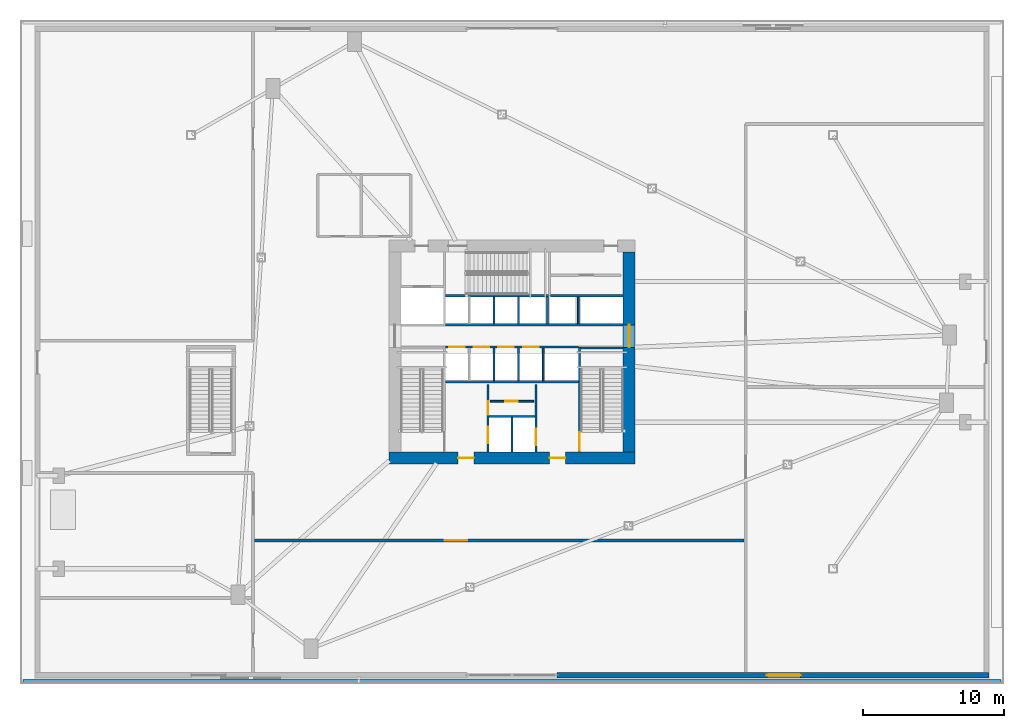
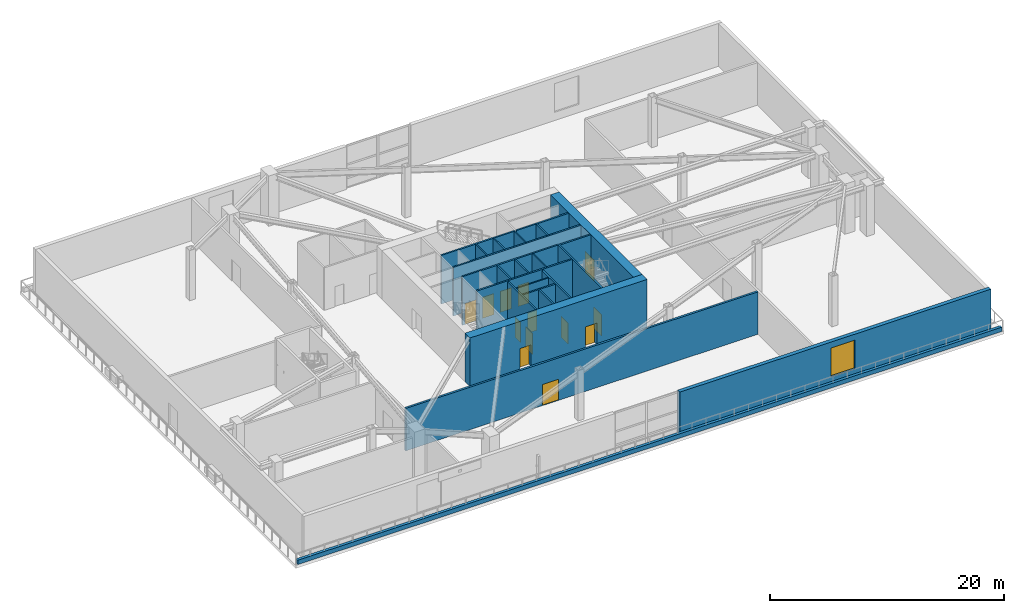
# One storey, part 9 of 15: 24 walls, 13 doors, 1 window, 14 openings.
"""IFC4 building model written with IfcOpenShell, lengths in metres."""

from ifc_helpers import new_model, si_unit, direction, frame, frame_2d, origin, place, context, subcontext, project, spatial, rectangle, extrude, source, transform, mapped, material, layer, layer_set, type_object, type_shapes, element, fill, save


model = new_model("IFC4")

# Units and contexts
model_context = context("Model", 3, precision=1e-05, world=origin(), true_north=direction((0.0, 1.0)))
body_context = subcontext(model_context, "Body", "Model", "MODEL_VIEW")
ifc_project = project(units=[si_unit("LENGTHUNIT", "METRE"), si_unit("AREAUNIT", "SQUARE_METRE"), si_unit("VOLUMEUNIT", "CUBIC_METRE"), si_unit("PLANEANGLEUNIT", "RADIAN"), si_unit("MASSUNIT", "GRAM", prefix="KILO")], contexts=[model_context])

# Site, building, storey
site_placement = place(None, origin())
site = spatial("IfcSite", under=ifc_project, at=site_placement, CompositionType="ELEMENT")
building_placement = place(site_placement, origin())
building = spatial("IfcBuilding", under=site, at=building_placement, Name="Olszyna Solenne Hotel", CompositionType="ELEMENT")
storey_placement = place(building_placement, frame((0.0, 0.0, 10.199951171875)))
storey = spatial("IfcBuildingStorey", under=building, at=storey_placement, Name="L02", CompositionType="ELEMENT", Elevation=10.199951171875)

# Wall, openings, doors
ifc_material_1 = material(Name="Concrete C60/75", Category="concrete")
ifc_layer_1 = layer(ifc_material_1, 0.85009765625, Name="Concrete C60/75")
ifc_layer_set_1 = layer_set([ifc_layer_1], Name="Concrete C60/75")
wall_type_1 = type_object("IfcWallType", Name="WL-CR850", PredefinedType="SHEAR", material=ifc_layer_set_1)
wall_1_placement = place(storey_placement, frame((46.75, 19.074951171875, 0.0), z_axis=(0.0, 0.0, 1.0), x_axis=(-1.0, 0.0, 0.0)))
wall_1 = element("IfcWall", 1, at=wall_1_placement, inside=storey, type_object=wall_type_1, Name="Core shear wall WL-CR850 CRW-L02-S", PredefinedType="SHEAR", context=body_context, shape_type="SweptSolid", body=[
    extrude(rectangle(XDim=17.5, YDim=0.85009765625, at=frame_2d((8.75, 0.0))), origin(), (0.0, 0.0, 1.0), 5.080078125),
])
opening_1_placement = place(wall_1_placement, frame((4.949951171875, 0.0, 0.0)))
opening_1 = element("IfcOpeningElement", 2, at=opening_1_placement, cuts=wall_1, Name="Opening FL-L02-1", PredefinedType="OPENING", context=body_context, shape_type="SweptSolid", body=[
    extrude(rectangle(XDim=1.1201171875, YDim=2.25, at=frame_2d((0.56005859375, 1.125))), frame((0.0, 0.43505859375, 0.0), z_axis=(0.0, -1.0, 0.0), x_axis=(1.0, 0.0, 0.0)), (0.0, 0.0, 1.0), 0.8701171875),
])
opening_2_placement = place(wall_1_placement, frame((11.449951171875, 0.0, 0.0)))
opening_2 = element("IfcOpeningElement", 3, at=opening_2_placement, cuts=wall_1, Name="Opening FL-L02-2", PredefinedType="OPENING", context=body_context, shape_type="SweptSolid", body=[
    extrude(rectangle(XDim=1.1201171875, YDim=2.25, at=frame_2d((0.56005859375, 1.125))), frame((0.0, 0.43505859375, 0.0), z_axis=(0.0, -1.0, 0.0), x_axis=(1.0, 0.0, 0.0)), (0.0, 0.0, 1.0), 0.8701171875),
])
ifc_material_2 = material(Name="Steel S355J2", Category="steel")
door_type_1 = type_object("IfcDoorType", Name="DR-FL1", OperationType="NOTDEFINED", PredefinedType="DOOR", material=ifc_material_2)
shared_shape_1 = source(origin(), body_context, "Body", "SweptSolid", [
    extrude(rectangle(XDim=1.1201171875, YDim=2.25, at=frame_2d((0.56005859375, 1.125))), frame((0.0, 0.02490234375, 0.0), z_axis=(0.0, -1.0, 0.0), x_axis=(1.0, 0.0, 0.0)), (0.0, 0.0, 1.0), 0.050048828125),
])
type_shapes(door_type_1, [shared_shape_1])
door_1_placement = place(opening_1_placement, origin())
door_1 = element("IfcDoor", 4, at=door_1_placement, inside=storey, type_object=door_type_1, Name="Firefighting lift lobby smoke door FL-L02-1", OperationType="SINGLE_SWING_LEFT", OverallHeight=2.25, OverallWidth=1.1201171875, PredefinedType="DOOR", context=body_context, shape_type="MappedRepresentation", body=[
    mapped(shared_shape_1, transform((0.0, 0.0, 0.0), x_axis=(1.0, 0.0, 0.0), y_axis=(0.0, 1.0, 0.0), z_axis=(0.0, 0.0, 1.0), scale=1.0)),
])
fill(opening_1, door_1)
door_2_placement = place(opening_2_placement, origin())
door_2 = element("IfcDoor", 5, at=door_2_placement, inside=storey, type_object=door_type_1, Name="Firefighting lift lobby smoke door FL-L02-2", OperationType="SINGLE_SWING_RIGHT", OverallHeight=2.25, OverallWidth=1.1201171875, PredefinedType="DOOR", context=body_context, shape_type="MappedRepresentation", body=[
    mapped(shared_shape_1, transform((0.0, 0.0, 0.0), x_axis=(1.0, 0.0, 0.0), y_axis=(0.0, 1.0, 0.0), z_axis=(0.0, 0.0, 1.0), scale=1.0)),
])
fill(opening_2, door_2)

# Wall, opening, door
wall_2_placement = place(storey_placement, frame((46.324951171875, 33.699951171875, 0.0), z_axis=(0.0, 0.0, 1.0), x_axis=(0.0, -1.0, 0.0)))
wall_2 = element("IfcWall", 6, at=wall_2_placement, inside=storey, type_object=wall_type_1, Name="Core shear wall WL-CR850 CRW-L02-E", PredefinedType="SHEAR", context=body_context, shape_type="SweptSolid", body=[
    extrude(rectangle(XDim=14.199951171875, YDim=0.85009765625, at=frame_2d((7.10009765625, 0.0))), origin(), (0.0, 0.0, 1.0), 5.080078125),
])
opening_3_placement = place(wall_2_placement, frame((5.179931640625, 0.0, 0.0)))
opening_3 = element("IfcOpeningElement", 7, at=opening_3_placement, cuts=wall_2, Name="Opening LHD-L02-E", PredefinedType="OPENING", context=body_context, shape_type="SweptSolid", body=[
    extrude(rectangle(XDim=1.60009765625, YDim=2.199951171875, at=frame_2d((0.800048828125, 1.10009765625))), frame((0.0, 0.43505859375, 0.0), z_axis=(0.0, -1.0, 0.0), x_axis=(1.0, 0.0, 0.0)), (0.0, 0.0, 1.0), 0.8701171875),
])
ifc_material_3 = material(Name="Timber hardwood", Category="wood")
door_type_2 = type_object("IfcDoorType", Name="DR-CR1", OperationType="DOUBLE_DOOR_SINGLE_SWING", PredefinedType="DOOR", material=ifc_material_3)
shared_shape_2 = source(origin(), body_context, "Body", "SweptSolid", [
    extrude(rectangle(XDim=1.60009765625, YDim=2.199951171875, at=frame_2d((0.800048828125, 1.10009765625))), frame((0.0, 0.02490234375, 0.0), z_axis=(0.0, -1.0, 0.0), x_axis=(1.0, 0.0, 0.0)), (0.0, 0.0, 1.0), 0.050048828125),
])
type_shapes(door_type_2, [shared_shape_2])
door_3_placement = place(opening_3_placement, origin())
door_3 = element("IfcDoor", 8, at=door_3_placement, inside=storey, type_object=door_type_2, Name="Passenger lift lobby East fire door LHD-L02-E", OperationType="DOUBLE_DOOR_SINGLE_SWING", OverallHeight=2.199951171875, OverallWidth=1.60009765625, PredefinedType="DOOR", context=body_context, shape_type="MappedRepresentation", body=[
    mapped(shared_shape_2, transform((0.0, 0.0, 0.0), x_axis=(1.0, 0.0, 0.0), y_axis=(0.0, 1.0, 0.0), z_axis=(0.0, 0.0, 1.0), scale=1.0)),
])
fill(opening_3, door_3)

# Wall, opening, window
ifc_material_4 = material(Name="Terracotta cladding on precast concrete C45/55", Category="masonry")
ifc_layer_2 = layer(ifc_material_4, 0.3798828125, Name="Terracotta cladding on precast concrete C45/55")
ifc_layer_set_2 = layer_set([ifc_layer_2], Name="Terracotta cladding on precast concrete C45/55")
wall_type_2 = type_object("IfcWallType", Name="WL-EX380", PredefinedType="SOLIDWALL", material=ifc_layer_set_2)
wall_3_placement = place(storey_placement, frame((71.89990234375, 3.6298828125, 0.0), z_axis=(0.0, 0.0, 1.0), x_axis=(-1.0, 0.0, 0.0)))
wall_3 = element("IfcWall", 9, at=wall_3_placement, inside=storey, type_object=wall_type_2, Name="Podium terracotta-precast exterior wall EW-L02-SE", PredefinedType="SOLIDWALL", context=body_context, shape_type="SweptSolid", body=[
    extrude(rectangle(XDim=30.699951171875, YDim=0.3798828125, at=frame_2d((15.35009765625, 0.0))), origin(), (0.0, 0.0, 1.0), 4.47216796875),
])
opening_4_placement = place(wall_3_placement, frame((13.39990234375, 0.0, 0.85009765625)))
opening_4 = element("IfcOpeningElement", 10, at=opening_4_placement, cuts=wall_3, Name="Opening WN-L02-009", PredefinedType="OPENING", context=body_context, shape_type="SweptSolid", body=[
    extrude(rectangle(XDim=2.39990234375, YDim=3.0, at=frame_2d((1.199951171875, 1.5))), frame((0.0, 0.199951171875, 0.0), z_axis=(0.0, -1.0, 0.0), x_axis=(1.0, 0.0, 0.0)), (0.0, 0.0, 1.0), 0.39990234375),
])
ifc_material_5 = material(Name="Low-E triple glazing", Category="glass")
window_type = type_object("IfcWindowType", Name="WN-PD1", PartitioningType="SINGLE_PANEL", PredefinedType="WINDOW", material=ifc_material_5)
shared_shape_3 = source(origin(), body_context, "Body", "SweptSolid", [
    extrude(rectangle(XDim=2.39990234375, YDim=3.0, at=frame_2d((1.199951171875, 1.5))), frame((0.0, 0.030029296875, 0.0), z_axis=(0.0, -1.0, 0.0), x_axis=(1.0, 0.0, 0.0)), (0.0, 0.0, 1.0), 0.06005859375),
])
type_shapes(window_type, [shared_shape_3])
window_placement = place(opening_4_placement, origin())
window = element("IfcWindow", 11, at=window_placement, inside=storey, type_object=window_type, Name="Podium triple-glazed window WN-PD1 WN-L02-009", OverallHeight=3.0, OverallWidth=2.39990234375, PartitioningType="SINGLE_PANEL", PredefinedType="WINDOW", context=body_context, shape_type="MappedRepresentation", body=[
    mapped(shared_shape_3, transform((0.0, 0.0, 0.0), x_axis=(1.0, 0.0, 0.0), y_axis=(0.0, 1.0, 0.0), z_axis=(0.0, 0.0, 1.0), scale=1.0)),
])
fill(opening_4, window)

# Walls
ifc_layer_3 = layer(ifc_material_4, 0.280029296875, Name="Terracotta cladding on precast concrete C45/55")
ifc_layer_set_3 = layer_set([ifc_layer_3], Name="Terracotta cladding on precast concrete C45/55")
wall_type_3 = type_object("IfcWallType", Name="WL-PR280", PredefinedType="PARAPET", material=ifc_layer_set_3)
wall_4_placement = place(storey_placement, frame((3.25, 3.179931640625, 0.0), z_axis=(0.0, 0.0, 1.0), x_axis=(1.0, 0.0, 0.0)))
element("IfcWall", 12, at=wall_4_placement, inside=storey, type_object=wall_type_3, Name="Garden terrace parapet upstand PR-L02-S", PredefinedType="PARAPET", context=body_context, shape_type="SweptSolid", body=[
    extrude(rectangle(XDim=69.5, YDim=0.280029296875, at=frame_2d((34.75, 0.0))), origin(), (0.0, 0.0, 1.0), 0.449951171875),
])
ifc_material_6 = material(Name="Acoustic gypsum partition", Category="gypsum")
ifc_layer_4 = layer(ifc_material_6, 0.125, Name="Acoustic gypsum partition")
ifc_layer_set_4 = layer_set([ifc_layer_4], Name="Acoustic gypsum partition")
wall_type_4 = type_object("IfcWallType", Name="WL-PT125", PredefinedType="PARTITIONING", material=ifc_layer_set_4)
wall_5_placement = place(storey_placement, frame((38.0, 19.5, 0.0), z_axis=(0.0, 0.0, 1.0), x_axis=(0.0, 1.0, 0.0)))
element("IfcWall", 13, at=wall_5_placement, inside=storey, type_object=wall_type_4, Name="Core shaft compartment wall CW-L02-FFM", PredefinedType="PARTITIONING", context=body_context, shape_type="SweptSolid", body=[
    extrude(rectangle(XDim=2.4599609375, YDim=0.125, at=frame_2d((1.22998046875, 0.0))), origin(), (0.0, 0.0, 1.0), 5.080078125),
])

# Wall, opening, door
wall_6_placement = place(storey_placement, frame((36.4599609375, 23.10205078125, 0.0), z_axis=(0.0, 0.0, 1.0), x_axis=(1.0, 0.0, 0.0)))
wall_6 = element("IfcWall", 14, at=wall_6_placement, inside=storey, type_object=wall_type_4, Name="Core shaft compartment wall CW-L02-SC2", PredefinedType="PARTITIONING", context=body_context, shape_type="SweptSolid", body=[
    extrude(rectangle(XDim=3.080078125, YDim=0.125, at=frame_2d((1.5400390625, 0.0))), origin(), (0.0, 0.0, 1.0), 5.080078125),
])
opening_5_placement = place(wall_6_placement, frame((1.050048828125, 0.0, 0.0)))
opening_5 = element("IfcOpeningElement", 15, at=opening_5_placement, cuts=wall_6, Name="Opening SVD-L02-SC2", PredefinedType="OPENING", context=body_context, shape_type="SweptSolid", body=[
    extrude(rectangle(XDim=0.89990234375, YDim=2.10009765625, at=frame_2d((0.449951171875, 1.050048828125))), frame((0.0, 0.072509765625, 0.0), z_axis=(0.0, -1.0, 0.0), x_axis=(1.0, 0.0, 0.0)), (0.0, 0.0, 1.0), 0.14501953125),
])
door_type_3 = type_object("IfcDoorType", Name="DR-WC1", OperationType="NOTDEFINED", PredefinedType="DOOR", material=ifc_material_3)
shared_shape_4 = source(origin(), body_context, "Body", "SweptSolid", [
    extrude(rectangle(XDim=0.89990234375, YDim=2.10009765625, at=frame_2d((0.449951171875, 1.050048828125))), frame((0.0, 0.02490234375, 0.0), z_axis=(0.0, -1.0, 0.0), x_axis=(1.0, 0.0, 0.0)), (0.0, 0.0, 1.0), 0.050048828125),
])
type_shapes(door_type_3, [shared_shape_4])
door_4_placement = place(opening_5_placement, origin())
door_4 = element("IfcDoor", 16, at=door_4_placement, inside=storey, type_object=door_type_3, Name="Butler pantry door SVD-L02-SC2", OperationType="SINGLE_SWING_RIGHT", OverallHeight=2.10009765625, OverallWidth=0.89990234375, PredefinedType="DOOR", context=body_context, shape_type="MappedRepresentation", body=[
    mapped(shared_shape_4, transform((0.0, 0.0, 0.0), x_axis=(1.0, 0.0, 0.0), y_axis=(0.0, 1.0, 0.0), z_axis=(0.0, 0.0, 1.0), scale=1.0)),
])
fill(opening_5, door_4)

# Walls
for number, where, z_axis, x_axis, name in (
    (17, (36.715087890625, 24.56005859375, 0.0), (0.0, 0.0, 1.0), (0.0, 1.0, 0.0), "Core shaft compartment wall CW-L02-DIVS367"),
    (18, (38.465087890625, 24.56005859375, 0.0), (0.0, 0.0, 1.0), (0.0, 1.0, 0.0), "Core shaft compartment wall CW-L02-DIVS384"),
    (19, (40.215087890625, 24.56005859375, 0.0), (0.0, 0.0, 1.0), (0.0, 1.0, 0.0), "Core shaft compartment wall CW-L02-DIVS402"),
):
    element("IfcWall", number, at=place(storey_placement, frame(where, z_axis=z_axis, x_axis=x_axis)), inside=storey, type_object=wall_type_4, Name=name, PredefinedType="PARTITIONING", context=body_context, shape_type="SweptSolid", body=[
        extrude(rectangle(XDim=2.31005859375, YDim=0.125, at=frame_2d((1.155029296875, 0.0))), origin(), (0.0, 0.0, 1.0), 5.080078125),
    ])
for number, where, z_axis, x_axis, name in (
    (20, (36.715087890625, 28.60009765625, 0.0), (0.0, 0.0, 1.0), (0.0, 1.0, 0.0), "Core shaft compartment wall CW-L02-DIVN367"),
    (21, (38.465087890625, 28.60009765625, 0.0), (0.0, 0.0, 1.0), (0.0, 1.0, 0.0), "Core shaft compartment wall CW-L02-DIVN384"),
    (22, (40.52490234375, 28.60009765625, 0.0), (0.0, 0.0, 1.0), (0.0, 1.0, 0.0), "Core shaft compartment wall CW-L02-DIVEX405"),
    (23, (42.699951171875, 28.60009765625, 0.0), (0.0, 0.0, 1.0), (0.0, 1.0, 0.0), "Core shaft compartment wall CW-L02-DIVEX427"),
):
    element("IfcWall", number, at=place(storey_placement, frame(where, z_axis=z_axis, x_axis=x_axis)), inside=storey, type_object=wall_type_4, Name=name, PredefinedType="PARTITIONING", context=body_context, shape_type="SweptSolid", body=[
        extrude(rectangle(XDim=1.919921875, YDim=0.125, at=frame_2d((0.9599609375, 0.0))), origin(), (0.0, 0.0, 1.0), 5.080078125),
    ])

# Wall, opening, door
ifc_layer_5 = layer(ifc_material_6, 0.159912109375, Name="Acoustic gypsum partition")
ifc_layer_set_5 = layer_set([ifc_layer_5], Name="Acoustic gypsum partition")
wall_type_5 = type_object("IfcWallType", Name="WL-PT160", PredefinedType="PARTITIONING", material=ifc_layer_set_5)
wall_7_placement = place(storey_placement, frame((42.800048828125, 26.9599609375, 0.0), z_axis=(0.0, 0.0, 1.0), x_axis=(0.0, -1.0, 0.0)))
wall_7 = element("IfcWall", 24, at=wall_7_placement, inside=storey, type_object=wall_type_5, Name="Core shaft compartment wall CW-L02-ST2W", PredefinedType="PARTITIONING", context=body_context, shape_type="SweptSolid", body=[
    extrude(rectangle(XDim=7.4599609375, YDim=0.159912109375, at=frame_2d((3.72998046875, 0.0))), origin(), (0.0, 0.0, 1.0), 5.080078125),
])
opening_6_placement = place(wall_7_placement, frame((6.06005859375, 0.0, 0.0)))
opening_6 = element("IfcOpeningElement", 25, at=opening_6_placement, cuts=wall_7, Name="Opening STD-L02-02", PredefinedType="OPENING", context=body_context, shape_type="SweptSolid", body=[
    extrude(rectangle(XDim=1.320068359375, YDim=2.199951171875, at=frame_2d((0.66015625, 1.10009765625))), frame((0.0, 0.08984375, 0.0), z_axis=(0.0, -1.0, 0.0), x_axis=(1.0, 0.0, 0.0)), (0.0, 0.0, 1.0), 0.179931640625),
])
door_type_4 = type_object("IfcDoorType", Name="DR-ST1", OperationType="NOTDEFINED", PredefinedType="DOOR", material=ifc_material_2)
shared_shape_5 = source(origin(), body_context, "Body", "SweptSolid", [
    extrude(rectangle(XDim=1.320068359375, YDim=2.199951171875, at=frame_2d((0.66015625, 1.10009765625))), frame((0.0, 0.02490234375, 0.0), z_axis=(0.0, -1.0, 0.0), x_axis=(1.0, 0.0, 0.0)), (0.0, 0.0, 1.0), 0.050048828125),
])
type_shapes(door_type_4, [shared_shape_5])
door_5_placement = place(opening_6_placement, origin())
door_5 = element("IfcDoor", 26, at=door_5_placement, inside=storey, type_object=door_type_4, Name="Pressurised exit stair ST2 fire door STD-L02-02", OperationType="SINGLE_SWING_RIGHT", OverallHeight=2.199951171875, OverallWidth=1.320068359375, PredefinedType="DOOR", context=body_context, shape_type="MappedRepresentation", body=[
    mapped(shared_shape_5, transform((0.0, 0.0, 0.0), x_axis=(1.0, 0.0, 0.0), y_axis=(0.0, 1.0, 0.0), z_axis=(0.0, 0.0, 1.0), scale=1.0)),
])
fill(opening_6, door_5)

# Walls
wall_8_placement = place(storey_placement, frame((42.8798828125, 26.8798828125, 0.0), z_axis=(0.0, 0.0, 1.0), x_axis=(1.0, 0.0, 0.0)))
element("IfcWall", 27, at=wall_8_placement, inside=storey, type_object=wall_type_5, Name="Core shaft compartment wall CW-L02-ST2N", PredefinedType="PARTITIONING", context=body_context, shape_type="SweptSolid", body=[
    extrude(rectangle(XDim=3.02001953125, YDim=0.159912109375, at=frame_2d((1.510009765625, 0.0))), origin(), (0.0, 0.0, 1.0), 5.080078125),
])
wall_9_placement = place(storey_placement, frame((33.280029296875, 30.60009765625, 0.0), z_axis=(0.0, 0.0, 1.0), x_axis=(1.0, 0.0, 0.0)))
element("IfcWall", 28, at=wall_9_placement, inside=storey, type_object=wall_type_5, Name="Core shaft compartment wall CW-L02-ST3S", PredefinedType="PARTITIONING", context=body_context, shape_type="SweptSolid", body=[
    extrude(rectangle(XDim=7.300048828125, YDim=0.159912109375, at=frame_2d((3.64990234375, 0.0))), origin(), (0.0, 0.0, 1.0), 5.080078125),
])

# Wall, openings, doors
wall_10_placement = place(storey_placement, frame((36.300048828125, 19.5, 0.0), z_axis=(0.0, 0.0, 1.0), x_axis=(0.0, 1.0, 0.0)))
wall_10 = element("IfcWall", 29, at=wall_10_placement, inside=storey, type_object=wall_type_5, Name="Core shaft compartment wall CW-L02-FF1W", PredefinedType="PARTITIONING", context=body_context, shape_type="SweptSolid", body=[
    extrude(rectangle(XDim=4.780029296875, YDim=0.159912109375, at=frame_2d((2.39013671875, 0.0))), origin(), (0.0, 0.0, 1.0), 5.080078125),
])
opening_7_placement = place(wall_10_placement, frame((0.60009765625, 0.0, 0.0)))
opening_7 = element("IfcOpeningElement", 30, at=opening_7_placement, cuts=wall_10, Name="Opening LD-L02-FF1", PredefinedType="OPENING", context=body_context, shape_type="SweptSolid", body=[
    extrude(rectangle(XDim=1.199951171875, YDim=2.199951171875, at=frame_2d((0.60009765625, 1.10009765625))), frame((0.0, 0.08984375, 0.0), z_axis=(0.0, -1.0, 0.0), x_axis=(1.0, 0.0, 0.0)), (0.0, 0.0, 1.0), 0.179931640625),
])
opening_8_placement = place(wall_10_placement, frame((2.64990234375, 0.0, 0.0)))
opening_8 = element("IfcOpeningElement", 31, at=opening_8_placement, cuts=wall_10, Name="Opening SVD-L02-SMK", PredefinedType="OPENING", context=body_context, shape_type="SweptSolid", body=[
    extrude(rectangle(XDim=0.949951171875, YDim=2.10009765625, at=frame_2d((0.47509765625, 1.050048828125))), frame((0.0, 0.08984375, 0.0), z_axis=(0.0, -1.0, 0.0), x_axis=(1.0, 0.0, 0.0)), (0.0, 0.0, 1.0), 0.179931640625),
])
door_type_5 = type_object("IfcDoorType", Name="DR-SV1", OperationType="NOTDEFINED", PredefinedType="DOOR", material=ifc_material_2)
shared_shape_6 = source(origin(), body_context, "Body", "SweptSolid", [
    extrude(rectangle(XDim=0.949951171875, YDim=2.10009765625, at=frame_2d((0.47509765625, 1.050048828125))), frame((0.0, 0.02490234375, 0.0), z_axis=(0.0, -1.0, 0.0), x_axis=(1.0, 0.0, 0.0)), (0.0, 0.0, 1.0), 0.050048828125),
])
type_shapes(door_type_5, [shared_shape_6])
door_6_placement = place(opening_8_placement, origin())
door_6 = element("IfcDoor", 32, at=door_6_placement, inside=storey, type_object=door_type_5, Name="Valet and core service room door SVD-L02-SMK", OperationType="SINGLE_SWING_LEFT", OverallHeight=2.10009765625, OverallWidth=0.949951171875, PredefinedType="DOOR", context=body_context, shape_type="MappedRepresentation", body=[
    mapped(shared_shape_6, transform((0.0, 0.0, 0.0), x_axis=(1.0, 0.0, 0.0), y_axis=(0.0, 1.0, 0.0), z_axis=(0.0, 0.0, 1.0), scale=1.0)),
])
fill(opening_8, door_6)
door_type_6 = type_object("IfcDoorType", Name="LD-FF1", OperationType="DOUBLE_DOOR_SLIDING", PredefinedType="DOOR", material=ifc_material_2)
shared_shape_7 = source(origin(), body_context, "Body", "SweptSolid", [
    extrude(rectangle(XDim=1.199951171875, YDim=2.199951171875, at=frame_2d((0.60009765625, 1.10009765625))), frame((0.0, 0.02490234375, 0.0), z_axis=(0.0, -1.0, 0.0), x_axis=(1.0, 0.0, 0.0)), (0.0, 0.0, 1.0), 0.050048828125),
])
type_shapes(door_type_6, [shared_shape_7])
door_7_placement = place(opening_7_placement, origin())
door_7 = element("IfcDoor", 33, at=door_7_placement, inside=storey, type_object=door_type_6, Name="Firefighters lift FF1 sliding landing door LD-L02-FF1", OperationType="DOUBLE_DOOR_SLIDING", OverallHeight=2.199951171875, OverallWidth=1.199951171875, PredefinedType="DOOR", context=body_context, shape_type="MappedRepresentation", body=[
    mapped(shared_shape_7, transform((0.0, 0.0, 0.0), x_axis=(1.0, 0.0, 0.0), y_axis=(0.0, 1.0, 0.0), z_axis=(0.0, 0.0, 1.0), scale=1.0)),
])
fill(opening_7, door_7)

# Wall, opening, door
wall_11_placement = place(storey_placement, frame((39.699951171875, 24.280029296875, 0.0), z_axis=(0.0, 0.0, 1.0), x_axis=(0.0, -1.0, 0.0)))
wall_11 = element("IfcWall", 34, at=wall_11_placement, inside=storey, type_object=wall_type_5, Name="Core shaft compartment wall CW-L02-FF2E", PredefinedType="PARTITIONING", context=body_context, shape_type="SweptSolid", body=[
    extrude(rectangle(XDim=4.780029296875, YDim=0.159912109375, at=frame_2d((2.39013671875, 0.0))), origin(), (0.0, 0.0, 1.0), 5.080078125),
])
opening_9_placement = place(wall_11_placement, frame((3.1201171875, 0.0, 0.0)))
opening_9 = element("IfcOpeningElement", 35, at=opening_9_placement, cuts=wall_11, Name="Opening LD-L02-FF2", PredefinedType="OPENING", context=body_context, shape_type="SweptSolid", body=[
    extrude(rectangle(XDim=1.199951171875, YDim=2.199951171875, at=frame_2d((0.60009765625, 1.10009765625))), frame((0.0, 0.08984375, 0.0), z_axis=(0.0, -1.0, 0.0), x_axis=(1.0, 0.0, 0.0)), (0.0, 0.0, 1.0), 0.179931640625),
])
door_8_placement = place(opening_9_placement, origin())
door_8 = element("IfcDoor", 36, at=door_8_placement, inside=storey, type_object=door_type_6, Name="Firefighters lift FF2 sliding landing door LD-L02-FF2", OperationType="DOUBLE_DOOR_SLIDING", OverallHeight=2.199951171875, OverallWidth=1.199951171875, PredefinedType="DOOR", context=body_context, shape_type="MappedRepresentation", body=[
    mapped(shared_shape_7, transform((0.0, 0.0, 0.0), x_axis=(1.0, 0.0, 0.0), y_axis=(0.0, 1.0, 0.0), z_axis=(0.0, 0.0, 1.0), scale=1.0)),
])
fill(opening_9, door_8)

# Walls
wall_12_placement = place(storey_placement, frame((36.3798828125, 22.02001953125, 0.0), z_axis=(0.0, 0.0, 1.0), x_axis=(1.0, 0.0, 0.0)))
element("IfcWall", 37, at=wall_12_placement, inside=storey, type_object=wall_type_5, Name="Core shaft compartment wall CW-L02-FFN", PredefinedType="PARTITIONING", context=body_context, shape_type="SweptSolid", body=[
    extrude(rectangle(XDim=3.240234375, YDim=0.159912109375, at=frame_2d((1.6201171875, 0.0))), origin(), (0.0, 0.0, 1.0), 5.080078125),
])
wall_13_placement = place(storey_placement, frame((33.280029296875, 24.489990234375, 0.0), z_axis=(0.0, 0.0, 1.0), x_axis=(1.0, 0.0, 0.0)))
element("IfcWall", 38, at=wall_13_placement, inside=storey, type_object=wall_type_5, Name="Core shaft compartment wall CW-L02-FFBN", PredefinedType="PARTITIONING", context=body_context, shape_type="SweptSolid", body=[
    extrude(rectangle(XDim=9.43994140625, YDim=0.159912109375, at=frame_2d((4.719970703125, 0.0))), origin(), (0.0, 0.0, 1.0), 5.080078125),
])

# Wall, openings, doors
wall_14_placement = place(storey_placement, frame((33.280029296875, 26.949951171875, 0.0), z_axis=(0.0, 0.0, 1.0), x_axis=(1.0, 0.0, 0.0)))
wall_14 = element("IfcWall", 39, at=wall_14_placement, inside=storey, type_object=wall_type_5, Name="Core shaft compartment wall CW-L02-LRS", PredefinedType="PARTITIONING", context=body_context, shape_type="SweptSolid", body=[
    extrude(rectangle(XDim=9.43994140625, YDim=0.159912109375, at=frame_2d((4.719970703125, 0.0))), origin(), (0.0, 0.0, 1.0), 5.080078125),
])
opening_10_placement = place(wall_14_placement, frame((0.260009765625, 0.0, 0.0)))
opening_10 = element("IfcOpeningElement", 40, at=opening_10_placement, cuts=wall_14, Name="Opening LD-L02-PL1", PredefinedType="OPENING", context=body_context, shape_type="SweptSolid", body=[
    extrude(rectangle(XDim=1.10009765625, YDim=2.199951171875, at=frame_2d((0.550048828125, 1.10009765625))), frame((0.0, 0.08984375, 0.0), z_axis=(0.0, -1.0, 0.0), x_axis=(1.0, 0.0, 0.0)), (0.0, 0.0, 1.0), 0.179931640625),
])
opening_11_placement = place(wall_14_placement, frame((2.010009765625, 0.0, 0.0)))
opening_11 = element("IfcOpeningElement", 41, at=opening_11_placement, cuts=wall_14, Name="Opening LD-L02-PL2", PredefinedType="OPENING", context=body_context, shape_type="SweptSolid", body=[
    extrude(rectangle(XDim=1.10009765625, YDim=2.199951171875, at=frame_2d((0.550048828125, 1.10009765625))), frame((0.0, 0.08984375, 0.0), z_axis=(0.0, -1.0, 0.0), x_axis=(1.0, 0.0, 0.0)), (0.0, 0.0, 1.0), 0.179931640625),
])
opening_12_placement = place(wall_14_placement, frame((3.760009765625, 0.0, 0.0)))
opening_12 = element("IfcOpeningElement", 42, at=opening_12_placement, cuts=wall_14, Name="Opening LD-L02-PL3", PredefinedType="OPENING", context=body_context, shape_type="SweptSolid", body=[
    extrude(rectangle(XDim=1.10009765625, YDim=2.199951171875, at=frame_2d((0.550048828125, 1.10009765625))), frame((0.0, 0.08984375, 0.0), z_axis=(0.0, -1.0, 0.0), x_axis=(1.0, 0.0, 0.0)), (0.0, 0.0, 1.0), 0.179931640625),
])
opening_13_placement = place(wall_14_placement, frame((5.510009765625, 0.0, 0.0)))
opening_13 = element("IfcOpeningElement", 43, at=opening_13_placement, cuts=wall_14, Name="Opening LD-L02-PL4", PredefinedType="OPENING", context=body_context, shape_type="SweptSolid", body=[
    extrude(rectangle(XDim=1.10009765625, YDim=2.199951171875, at=frame_2d((0.550048828125, 1.10009765625))), frame((0.0, 0.08984375, 0.0), z_axis=(0.0, -1.0, 0.0), x_axis=(1.0, 0.0, 0.0)), (0.0, 0.0, 1.0), 0.179931640625),
])
door_type_7 = type_object("IfcDoorType", Name="LD-P1", OperationType="DOUBLE_DOOR_SLIDING", PredefinedType="DOOR", material=ifc_material_2)
shared_shape_8 = source(origin(), body_context, "Body", "SweptSolid", [
    extrude(rectangle(XDim=1.10009765625, YDim=2.199951171875, at=frame_2d((0.550048828125, 1.10009765625))), frame((0.0, 0.02490234375, 0.0), z_axis=(0.0, -1.0, 0.0), x_axis=(1.0, 0.0, 0.0)), (0.0, 0.0, 1.0), 0.050048828125),
])
type_shapes(door_type_7, [shared_shape_8])
door_9_placement = place(opening_10_placement, origin())
door_9 = element("IfcDoor", 44, at=door_9_placement, inside=storey, type_object=door_type_7, Name="Passenger lift PL1 sliding landing door LD-L02-PL1", OperationType="DOUBLE_DOOR_SLIDING", OverallHeight=2.199951171875, OverallWidth=1.10009765625, PredefinedType="DOOR", context=body_context, shape_type="MappedRepresentation", body=[
    mapped(shared_shape_8, transform((0.0, 0.0, 0.0), x_axis=(1.0, 0.0, 0.0), y_axis=(0.0, 1.0, 0.0), z_axis=(0.0, 0.0, 1.0), scale=1.0)),
])
fill(opening_10, door_9)
door_10_placement = place(opening_11_placement, origin())
door_10 = element("IfcDoor", 45, at=door_10_placement, inside=storey, type_object=door_type_7, Name="Passenger lift PL2 sliding landing door LD-L02-PL2", OperationType="DOUBLE_DOOR_SLIDING", OverallHeight=2.199951171875, OverallWidth=1.10009765625, PredefinedType="DOOR", context=body_context, shape_type="MappedRepresentation", body=[
    mapped(shared_shape_8, transform((0.0, 0.0, 0.0), x_axis=(1.0, 0.0, 0.0), y_axis=(0.0, 1.0, 0.0), z_axis=(0.0, 0.0, 1.0), scale=1.0)),
])
fill(opening_11, door_10)
door_11_placement = place(opening_12_placement, origin())
door_11 = element("IfcDoor", 46, at=door_11_placement, inside=storey, type_object=door_type_7, Name="Passenger lift PL3 sliding landing door LD-L02-PL3", OperationType="DOUBLE_DOOR_SLIDING", OverallHeight=2.199951171875, OverallWidth=1.10009765625, PredefinedType="DOOR", context=body_context, shape_type="MappedRepresentation", body=[
    mapped(shared_shape_8, transform((0.0, 0.0, 0.0), x_axis=(1.0, 0.0, 0.0), y_axis=(0.0, 1.0, 0.0), z_axis=(0.0, 0.0, 1.0), scale=1.0)),
])
fill(opening_12, door_11)
door_12_placement = place(opening_13_placement, origin())
door_12 = element("IfcDoor", 47, at=door_12_placement, inside=storey, type_object=door_type_7, Name="Passenger lift PL4 sliding landing door LD-L02-PL4", OperationType="DOUBLE_DOOR_SLIDING", OverallHeight=2.199951171875, OverallWidth=1.10009765625, PredefinedType="DOOR", context=body_context, shape_type="MappedRepresentation", body=[
    mapped(shared_shape_8, transform((0.0, 0.0, 0.0), x_axis=(1.0, 0.0, 0.0), y_axis=(0.0, 1.0, 0.0), z_axis=(0.0, 0.0, 1.0), scale=1.0)),
])
fill(opening_13, door_12)

# Walls
wall_15_placement = place(storey_placement, frame((33.280029296875, 28.5400390625, 0.0), z_axis=(0.0, 0.0, 1.0), x_axis=(1.0, 0.0, 0.0)))
element("IfcWall", 48, at=wall_15_placement, inside=storey, type_object=wall_type_5, Name="Core shaft compartment wall CW-L02-LRN", PredefinedType="PARTITIONING", context=body_context, shape_type="SweptSolid", body=[
    extrude(rectangle(XDim=12.619873046875, YDim=0.159912109375, at=frame_2d((6.31005859375, 0.0))), origin(), (0.0, 0.0, 1.0), 5.080078125),
])
wall_16_placement = place(storey_placement, frame((40.719970703125, 30.60009765625, 0.0), z_axis=(0.0, 0.0, 1.0), x_axis=(1.0, 0.0, 0.0)))
element("IfcWall", 49, at=wall_16_placement, inside=storey, type_object=wall_type_5, Name="Core shaft compartment wall CW-L02-LRNTOP", PredefinedType="PARTITIONING", context=body_context, shape_type="SweptSolid", body=[
    extrude(rectangle(XDim=5.179931640625, YDim=0.159912109375, at=frame_2d((2.58984375, 0.0))), origin(), (0.0, 0.0, 1.0), 5.080078125),
])

# Wall, opening, door
ifc_layer_6 = layer(ifc_material_6, 0.199951171875, Name="Acoustic gypsum partition")
ifc_layer_set_6 = layer_set([ifc_layer_6], Name="Acoustic gypsum partition")
wall_type_6 = type_object("IfcWallType", Name="WL-PT200", PredefinedType="PARTITIONING", material=ifc_layer_set_6)
wall_17_placement = place(storey_placement, frame((19.719970703125, 13.199951171875, 0.0), z_axis=(0.0, 0.0, 1.0), x_axis=(1.0, 0.0, 0.0)))
wall_17 = element("IfcWall", 50, at=wall_17_placement, inside=storey, type_object=wall_type_6, Name="Interior acoustic partition WL-PT200 PW-L02-0186", PredefinedType="PARTITIONING", context=body_context, shape_type="SweptSolid", body=[
    extrude(rectangle(XDim=34.760009765625, YDim=0.199951171875, at=frame_2d((17.3798828125, 0.0))), origin(), (0.0, 0.0, 1.0), 4.429931640625),
])
opening_14_placement = place(wall_17_placement, frame((13.5, 0.0, 0.0)))
opening_14 = element("IfcOpeningElement", 51, at=opening_14_placement, cuts=wall_17, Name="Opening DR-L02-0038", PredefinedType="OPENING", context=body_context, shape_type="SweptSolid", body=[
    extrude(rectangle(XDim=1.60009765625, YDim=2.199951171875, at=frame_2d((0.800048828125, 1.10009765625))), frame((0.0, 0.10986328125, 0.0), z_axis=(0.0, -1.0, 0.0), x_axis=(1.0, 0.0, 0.0)), (0.0, 0.0, 1.0), 0.219970703125),
])
door_13_placement = place(opening_14_placement, origin())
door_13 = element("IfcDoor", 52, at=door_13_placement, inside=storey, type_object=door_type_2, Name="Main Hall Entrance DR-L02-0038", OperationType="DOUBLE_DOOR_SINGLE_SWING", OverallHeight=2.199951171875, OverallWidth=1.60009765625, PredefinedType="DOOR", context=body_context, shape_type="MappedRepresentation", body=[
    mapped(shared_shape_2, transform((0.0, 0.0, 0.0), x_axis=(1.0, 0.0, 0.0), y_axis=(0.0, 1.0, 0.0), z_axis=(0.0, 0.0, 1.0), scale=1.0)),
])
fill(opening_14, door_13)

save(model, "model.ifc")
